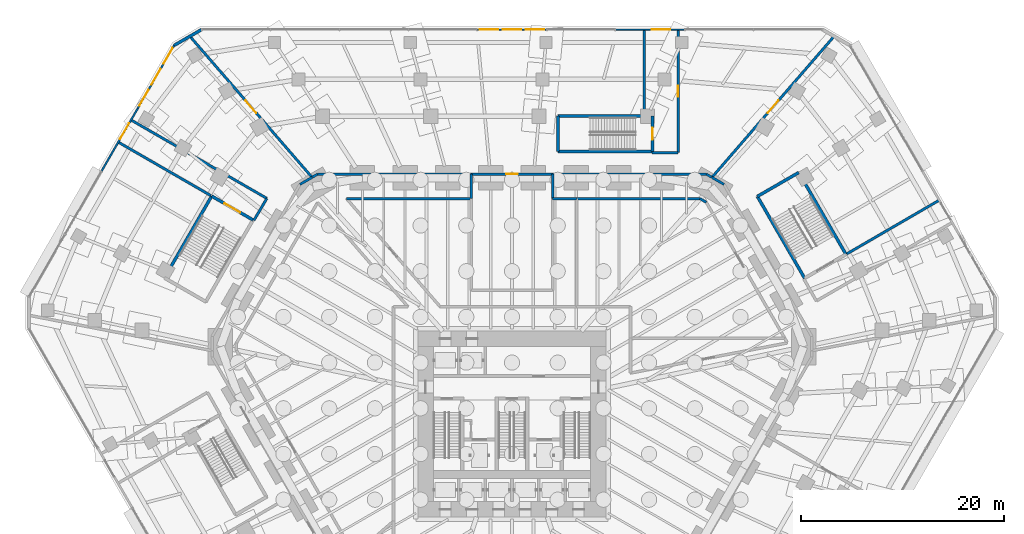
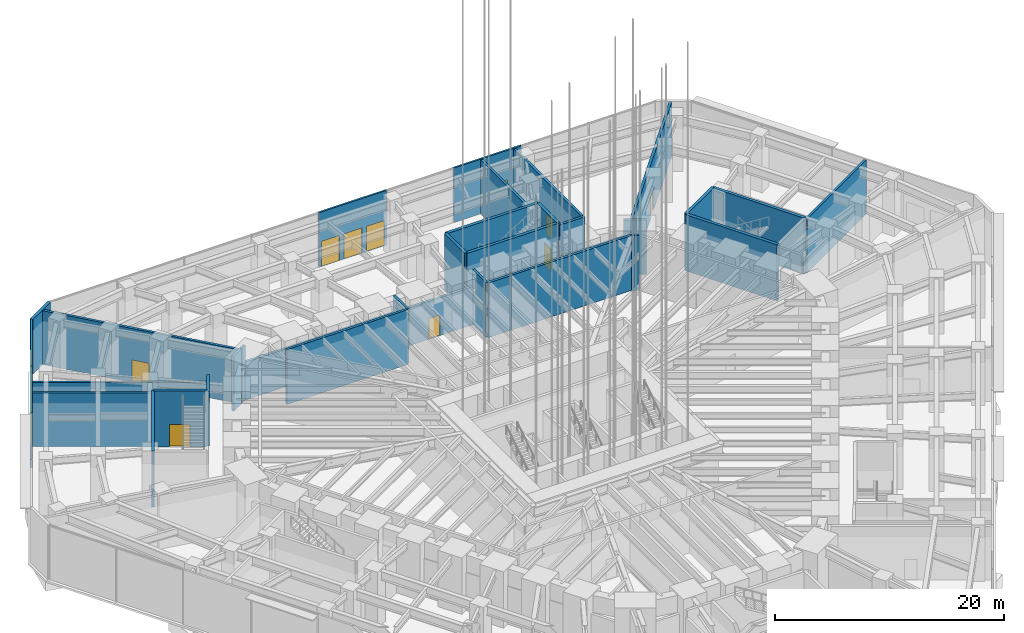
# One storey, part 22 of 34: 36 walls, 14 doors, 14 openings.
"""IFC4 building model written with IfcOpenShell, lengths in metres."""

from ifc_helpers import new_model, si_unit, direction, frame, frame_2d, origin, place, context, subcontext, project, spatial, rectangle, extrude, material, layer, layer_set, type_object, element, fill, save


model = new_model("IFC4")

# Units and contexts
model_context = context("Model", 3, precision=1e-05, world=origin(), true_north=direction((0.0, 1.0)))
body_context = subcontext(model_context, "Body", "Model", "MODEL_VIEW")
ifc_project = project(units=[si_unit("LENGTHUNIT", "METRE"), si_unit("AREAUNIT", "SQUARE_METRE"), si_unit("VOLUMEUNIT", "CUBIC_METRE"), si_unit("PLANEANGLEUNIT", "RADIAN"), si_unit("MASSUNIT", "GRAM", prefix="KILO")], contexts=[model_context])

# Site, building, storey
site_placement = place(None, origin())
site = spatial("IfcSite", under=ifc_project, at=site_placement, CompositionType="ELEMENT")
building_placement = place(site_placement, origin())
building = spatial("IfcBuilding", under=site, at=building_placement, Name="Sandreach Pilgrim Tower", CompositionType="ELEMENT")
storey_placement = place(building_placement, origin())
storey = spatial("IfcBuildingStorey", under=building, at=storey_placement, Name="L00", CompositionType="ELEMENT", Elevation=0.0)

# Wall, openings, doors
ifc_material_1 = material(Name="Glazed aluminium screen", Category="aluminium")
ifc_layer_1 = layer(ifc_material_1, 0.179931640625)
ifc_layer_set_1 = layer_set([ifc_layer_1], Name="Glazed entrance screen wall")
wall_type_1 = type_object("IfcWallType", Name="Glazed entrance screen wall", PredefinedType="SOLIDWALL", material=ifc_layer_set_1)
wall_1_placement = place(storey_placement, frame((-3.3984375, 37.285400390625, 0.0), z_axis=(0.0, 0.0, 1.0), x_axis=(1.0, 0.0, 0.0)))
wall_1 = element("IfcWall", 1, at=wall_1_placement, inside=storey, type_object=wall_type_1, Name="Entrance screen wall L00 N", PredefinedType="SOLIDWALL", context=body_context, shape_type="SweptSolid", body=[
    extrude(rectangle(XDim=6.796875, YDim=0.179931640625, at=frame_2d((3.3984375, 0.0))), origin(), (0.0, 0.0, 1.0), 5.840087890625),
])
opening_1_placement = place(wall_1_placement, frame((0.23291015625, 0.0, 0.0)))
opening_1 = element("IfcOpeningElement", 2, at=opening_1_placement, cuts=wall_1, Name="Opening D18-N1", PredefinedType="OPENING", context=body_context, shape_type="SweptSolid", body=[
    extrude(rectangle(XDim=1.800048828125, YDim=2.699951171875, at=frame_2d((0.89990234375, 1.35009765625))), frame((0.0, 0.08984375, 0.0), z_axis=(0.0, -1.0, 0.0), x_axis=(1.0, 0.0, 0.0)), (0.0, 0.0, 1.0), 0.179931640625),
])
opening_2_placement = place(wall_1_placement, frame((2.49853515625, 0.0, 0.0)))
opening_2 = element("IfcOpeningElement", 3, at=opening_2_placement, cuts=wall_1, Name="Opening D18-N2", PredefinedType="OPENING", context=body_context, shape_type="SweptSolid", body=[
    extrude(rectangle(XDim=1.800048828125, YDim=2.699951171875, at=frame_2d((0.89990234375, 1.35009765625))), frame((0.0, 0.08984375, 0.0), z_axis=(0.0, -1.0, 0.0), x_axis=(1.0, 0.0, 0.0)), (0.0, 0.0, 1.0), 0.179931640625),
])
opening_3_placement = place(wall_1_placement, frame((4.76416015625, 0.0, 0.0)))
opening_3 = element("IfcOpeningElement", 4, at=opening_3_placement, cuts=wall_1, Name="Opening D18-N3", PredefinedType="OPENING", context=body_context, shape_type="SweptSolid", body=[
    extrude(rectangle(XDim=1.800048828125, YDim=2.699951171875, at=frame_2d((0.89990234375, 1.35009765625))), frame((0.0, 0.08984375, 0.0), z_axis=(0.0, -1.0, 0.0), x_axis=(1.0, 0.0, 0.0)), (0.0, 0.0, 1.0), 0.179931640625),
])
ifc_material_2 = material(Name="Aluminium and glass", Category="aluminium")
door_type_1 = type_object("IfcDoorType", Name="Entrance double door", OperationType="DOUBLE_DOOR_SINGLE_SWING", PredefinedType="DOOR", material=ifc_material_2)
door_1_placement = place(opening_1_placement, origin())
door_1 = element("IfcDoor", 5, at=door_1_placement, inside=storey, type_object=door_type_1, Name="Entrance door L00 N1", OperationType="SINGLE_SWING_LEFT", OverallHeight=2.699951171875, OverallWidth=1.800048828125, PredefinedType="DOOR", context=body_context, shape_type="SweptSolid", body=[
    extrude(rectangle(XDim=1.800048828125, YDim=2.699951171875, at=frame_2d((0.89990234375, 1.35009765625))), frame((0.0, 0.02490234375, 0.0), z_axis=(0.0, -1.0, 0.0), x_axis=(1.0, 0.0, 0.0)), (0.0, 0.0, 1.0), 0.050048828125),
])
fill(opening_1, door_1)
door_2_placement = place(opening_2_placement, origin())
door_2 = element("IfcDoor", 6, at=door_2_placement, inside=storey, type_object=door_type_1, Name="Entrance door L00 N2", OperationType="SINGLE_SWING_LEFT", OverallHeight=2.699951171875, OverallWidth=1.800048828125, PredefinedType="DOOR", context=body_context, shape_type="SweptSolid", body=[
    extrude(rectangle(XDim=1.800048828125, YDim=2.699951171875, at=frame_2d((0.89990234375, 1.35009765625))), frame((0.0, 0.02490234375, 0.0), z_axis=(0.0, -1.0, 0.0), x_axis=(1.0, 0.0, 0.0)), (0.0, 0.0, 1.0), 0.050048828125),
])
fill(opening_2, door_2)
door_3_placement = place(opening_3_placement, origin())
door_3 = element("IfcDoor", 7, at=door_3_placement, inside=storey, type_object=door_type_1, Name="Entrance door L00 N3", OperationType="SINGLE_SWING_LEFT", OverallHeight=2.699951171875, OverallWidth=1.800048828125, PredefinedType="DOOR", context=body_context, shape_type="SweptSolid", body=[
    extrude(rectangle(XDim=1.800048828125, YDim=2.699951171875, at=frame_2d((0.89990234375, 1.35009765625))), frame((0.0, 0.02490234375, 0.0), z_axis=(0.0, -1.0, 0.0), x_axis=(1.0, 0.0, 0.0)), (0.0, 0.0, 1.0), 0.050048828125),
])
fill(opening_3, door_3)

# Wall, opening, door
wall_2_placement = place(storey_placement, frame((10.195556640625, 37.285400390625, 0.0), z_axis=(0.0, 0.0, 1.0), x_axis=(1.0, 0.0, 0.0)))
wall_2 = element("IfcWall", 8, at=wall_2_placement, inside=storey, type_object=wall_type_1, Name="Exit screen wall L00 N", PredefinedType="SOLIDWALL", context=body_context, shape_type="SweptSolid", body=[
    extrude(rectangle(XDim=6.797119140625, YDim=0.179931640625, at=frame_2d((3.3984375, 0.0))), origin(), (0.0, 0.0, 1.0), 5.840087890625),
])
opening_4_placement = place(wall_2_placement, frame((3.583984375, 0.0, 0.0)))
opening_4 = element("IfcOpeningElement", 9, at=opening_4_placement, cuts=wall_2, Name="Opening D18-NX", PredefinedType="OPENING", context=body_context, shape_type="SweptSolid", body=[
    extrude(rectangle(XDim=1.800048828125, YDim=2.699951171875, at=frame_2d((0.89990234375, 1.35009765625))), frame((0.0, 0.08984375, 0.0), z_axis=(0.0, -1.0, 0.0), x_axis=(1.0, 0.0, 0.0)), (0.0, 0.0, 1.0), 0.179931640625),
])
door_4_placement = place(opening_4_placement, origin())
door_4 = element("IfcDoor", 10, at=door_4_placement, inside=storey, type_object=door_type_1, Name="Exit door L00 N from stair ST7", OperationType="SINGLE_SWING_LEFT", OverallHeight=2.699951171875, OverallWidth=1.800048828125, PredefinedType="DOOR", context=body_context, shape_type="SweptSolid", body=[
    extrude(rectangle(XDim=1.800048828125, YDim=2.699951171875, at=frame_2d((0.89990234375, 1.35009765625))), frame((0.0, 0.02490234375, 0.0), z_axis=(0.0, -1.0, 0.0), x_axis=(1.0, 0.0, 0.0)), (0.0, 0.0, 1.0), 0.050048828125),
])
fill(opening_4, door_4)

wall_3_placement = place(storey_placement, frame((-40.427734375, 23.3408203125, 0.0), z_axis=(0.0, 0.0, 1.0), x_axis=(0.49999906395, 0.866025944212, 0.0)))
wall_3 = element("IfcWall", 11, at=wall_3_placement, inside=storey, type_object=wall_type_1, Name="Exit screen wall L00 NW", PredefinedType="SOLIDWALL", context=body_context, shape_type="SweptSolid", body=[
    extrude(rectangle(XDim=7.15625, YDim=0.179931640625, at=frame_2d((3.578125, 0.0))), origin(), (0.0, 0.0, 1.0), 5.840087890625),
])
opening_5_placement = place(wall_3_placement, frame((3.6611328125, 0.0, 0.0)))
opening_5 = element("IfcOpeningElement", 12, at=opening_5_placement, cuts=wall_3, Name="Opening D18-NWX", PredefinedType="OPENING", context=body_context, shape_type="SweptSolid", body=[
    extrude(rectangle(XDim=1.800048828125, YDim=2.699951171875, at=frame_2d((0.89990234375, 1.35009765625))), frame((0.0, 0.08984375, 0.0), z_axis=(0.0, -1.0, 0.0), x_axis=(1.0, 0.0, 0.0)), (0.0, 0.0, 1.0), 0.179931640625),
])
door_5_placement = place(opening_5_placement, origin())
door_5 = element("IfcDoor", 13, at=door_5_placement, inside=storey, type_object=door_type_1, Name="Exit door L00 NW from stair ST6", OperationType="SINGLE_SWING_LEFT", OverallHeight=2.699951171875, OverallWidth=1.800048828125, PredefinedType="DOOR", context=body_context, shape_type="SweptSolid", body=[
    extrude(rectangle(XDim=1.800048828125, YDim=2.699951171875, at=frame_2d((0.89990234375, 1.35009765625))), frame((0.0, 0.02490234375, 0.0), z_axis=(0.0, -1.0, 0.0), x_axis=(1.0, 0.0, 0.0)), (0.0, 0.0, 1.0), 0.050048828125),
])
fill(opening_5, door_5)

# Wall, openings, doors
wall_4_placement = place(storey_placement, frame((-36.849609375, 29.538330078125, 0.0), z_axis=(0.0, 0.0, 1.0), x_axis=(0.499988249127, 0.866032188048, 0.0)))
wall_4 = element("IfcWall", 14, at=wall_4_placement, inside=storey, type_object=wall_type_1, Name="Entrance screen wall L00 NW", PredefinedType="SOLIDWALL", context=body_context, shape_type="SweptSolid", body=[
    extrude(rectangle(XDim=7.156005859375, YDim=0.179931640625, at=frame_2d((3.578125, 0.0))), origin(), (0.0, 0.0, 1.0), 5.840087890625),
])
opening_6_placement = place(wall_4_placement, frame((0.292724609375, 0.0, 0.0)))
opening_6 = element("IfcOpeningElement", 15, at=opening_6_placement, cuts=wall_4, Name="Opening D18-NW1", PredefinedType="OPENING", context=body_context, shape_type="SweptSolid", body=[
    extrude(rectangle(XDim=1.800048828125, YDim=2.699951171875, at=frame_2d((0.89990234375, 1.35009765625))), frame((0.0, 0.08984375, 0.0), z_axis=(0.0, -1.0, 0.0), x_axis=(1.0, 0.0, 0.0)), (0.0, 0.0, 1.0), 0.179931640625),
])
opening_7_placement = place(wall_4_placement, frame((2.677978515625, 0.0, 0.0)))
opening_7 = element("IfcOpeningElement", 16, at=opening_7_placement, cuts=wall_4, Name="Opening D18-NW2", PredefinedType="OPENING", context=body_context, shape_type="SweptSolid", body=[
    extrude(rectangle(XDim=1.800048828125, YDim=2.699951171875, at=frame_2d((0.89990234375, 1.35009765625))), frame((0.0, 0.08984375, 0.0), z_axis=(0.0, -1.0, 0.0), x_axis=(1.0, 0.0, 0.0)), (0.0, 0.0, 1.0), 0.179931640625),
])
opening_8_placement = place(wall_4_placement, frame((5.063232421875, 0.0, 0.0)))
opening_8 = element("IfcOpeningElement", 17, at=opening_8_placement, cuts=wall_4, Name="Opening D18-NW3", PredefinedType="OPENING", context=body_context, shape_type="SweptSolid", body=[
    extrude(rectangle(XDim=1.800048828125, YDim=2.699951171875, at=frame_2d((0.89990234375, 1.35009765625))), frame((0.0, 0.08984375, 0.0), z_axis=(0.0, -1.0, 0.0), x_axis=(1.0, 0.0, 0.0)), (0.0, 0.0, 1.0), 0.179931640625),
])
door_6_placement = place(opening_6_placement, origin())
door_6 = element("IfcDoor", 18, at=door_6_placement, inside=storey, type_object=door_type_1, Name="Entrance door L00 NW1", OperationType="SINGLE_SWING_LEFT", OverallHeight=2.699951171875, OverallWidth=1.800048828125, PredefinedType="DOOR", context=body_context, shape_type="SweptSolid", body=[
    extrude(rectangle(XDim=1.800048828125, YDim=2.699951171875, at=frame_2d((0.89990234375, 1.35009765625))), frame((0.0, 0.02490234375, 0.0), z_axis=(0.0, -1.0, 0.0), x_axis=(1.0, 0.0, 0.0)), (0.0, 0.0, 1.0), 0.050048828125),
])
fill(opening_6, door_6)
door_7_placement = place(opening_7_placement, origin())
door_7 = element("IfcDoor", 19, at=door_7_placement, inside=storey, type_object=door_type_1, Name="Entrance door L00 NW2", OperationType="SINGLE_SWING_LEFT", OverallHeight=2.699951171875, OverallWidth=1.800048828125, PredefinedType="DOOR", context=body_context, shape_type="SweptSolid", body=[
    extrude(rectangle(XDim=1.800048828125, YDim=2.699951171875, at=frame_2d((0.89990234375, 1.35009765625))), frame((0.0, 0.02490234375, 0.0), z_axis=(0.0, -1.0, 0.0), x_axis=(1.0, 0.0, 0.0)), (0.0, 0.0, 1.0), 0.050048828125),
])
fill(opening_7, door_7)
door_8_placement = place(opening_8_placement, origin())
door_8 = element("IfcDoor", 20, at=door_8_placement, inside=storey, type_object=door_type_1, Name="Entrance door L00 NW3", OperationType="SINGLE_SWING_LEFT", OverallHeight=2.699951171875, OverallWidth=1.800048828125, PredefinedType="DOOR", context=body_context, shape_type="SweptSolid", body=[
    extrude(rectangle(XDim=1.800048828125, YDim=2.699951171875, at=frame_2d((0.89990234375, 1.35009765625))), frame((0.0, 0.02490234375, 0.0), z_axis=(0.0, -1.0, 0.0), x_axis=(1.0, 0.0, 0.0)), (0.0, 0.0, 1.0), 0.050048828125),
])
fill(opening_8, door_8)

# Walls
ifc_material_3 = material(Name="Acoustic gypsum board wall, double frame", Category="gypsum")
ifc_layer_2 = layer(ifc_material_3, 0.25)
ifc_layer_set_2 = layer_set([ifc_layer_2], Name="Hall partition 250")
wall_type_2 = type_object("IfcWallType", Name="Hall partition 250", PredefinedType="PARTITIONING", material=ifc_layer_set_2)
wall_5_placement = place(storey_placement, frame((-29.659423828125, 20.948486328125, 0.0), z_axis=(0.0, 0.0, 1.0), x_axis=(-0.865956906552, 0.500118621924, 0.0)))
element("IfcWall", 21, at=wall_5_placement, inside=storey, type_object=wall_type_2, Name="Hall partition L00-004", PredefinedType="PARTITIONING", context=body_context, shape_type="SweptSolid", body=[
    extrude(rectangle(XDim=10.49072265625, YDim=0.25, at=frame_2d((5.245361328125, 0.0))), origin(), (0.0, 0.0, 1.0), 5.75),
])
wall_6_placement = place(storey_placement, frame((-25.419921875, 18.5, 0.0), z_axis=(0.0, 0.0, 1.0), x_axis=(0.508082727165, 0.861308273707, 0.0)))
element("IfcWall", 22, at=wall_6_placement, inside=storey, type_object=wall_type_2, Name="Hall partition L00-013", PredefinedType="PARTITIONING", context=body_context, shape_type="SweptSolid", body=[
    extrude(rectangle(XDim=2.519287109375, YDim=0.25, at=frame_2d((1.259765625, 0.0))), origin(), (0.0, 0.0, 1.0), 5.840087890625),
])
wall_7_placement = place(storey_placement, frame((-24.139892578125, 20.669921875, 0.0), z_axis=(0.0, 0.0, 1.0), x_axis=(-0.866003524369, 0.500037894345, 0.0)))
element("IfcWall", 23, at=wall_7_placement, inside=storey, type_object=wall_type_2, Name="Hall partition L00-014", PredefinedType="PARTITIONING", context=body_context, shape_type="SweptSolid", body=[
    extrude(rectangle(XDim=15.408935546875, YDim=0.25, at=frame_2d((7.70458984375, 0.0))), origin(), (0.0, 0.0, 1.0), 5.0830078125),
])
wall_8_placement = place(storey_placement, frame((-20.880126953125, 22.050048828125, 0.0), z_axis=(0.0, 0.0, 1.0), x_axis=(0.865786487168, 0.500413587582, 0.0)))
element("IfcWall", 24, at=wall_8_placement, inside=storey, type_object=wall_type_2, Name="Hall partition L00-017", PredefinedType="PARTITIONING", context=body_context, shape_type="SweptSolid", body=[
    extrude(rectangle(XDim=1.375732421875, YDim=0.25, at=frame_2d((0.68798828125, 0.0))), origin(), (0.0, 0.0, 1.0), 5.840087890625),
])

# Wall, opening, door
wall_9_placement = place(storey_placement, frame((-19.68994140625, 22.739990234375, 0.0), z_axis=(0.0, 0.0, 1.0), x_axis=(-0.654545432473, 0.75602266952, 0.0)))
wall_9 = element("IfcWall", 25, at=wall_9_placement, inside=storey, type_object=wall_type_2, Name="Hall partition L00-018", PredefinedType="PARTITIONING", context=body_context, shape_type="SweptSolid", body=[
    extrude(rectangle(XDim=18.395263671875, YDim=0.25, at=frame_2d((9.19775390625, 0.0))), origin(), (0.0, 0.0, 1.0), 5.75),
])
opening_9_placement = place(wall_9_placement, frame((8.397705078125, 0.0, 0.0)))
opening_9 = element("IfcOpeningElement", 26, at=opening_9_placement, cuts=wall_9, Name="Opening D16-06", PredefinedType="OPENING", context=body_context, shape_type="SweptSolid", body=[
    extrude(rectangle(XDim=1.60009765625, YDim=2.39990234375, at=frame_2d((0.800048828125, 1.199951171875))), frame((0.0, 0.125, 0.0), z_axis=(0.0, -1.0, 0.0), x_axis=(1.0, 0.0, 0.0)), (0.0, 0.0, 1.0), 0.25),
])
ifc_material_4 = material(Name="Steel door and frame", Category="steel")
door_type_2 = type_object("IfcDoorType", Name="Hall double door", OperationType="DOUBLE_DOOR_SINGLE_SWING", PredefinedType="DOOR", material=ifc_material_4)
door_9_placement = place(opening_9_placement, origin())
door_9 = element("IfcDoor", 27, at=door_9_placement, inside=storey, type_object=door_type_2, Name="Door 0006", OperationType="DOUBLE_DOOR_SINGLE_SWING", OverallHeight=2.39990234375, OverallWidth=1.60009765625, PredefinedType="DOOR", context=body_context, shape_type="SweptSolid", body=[
    extrude(rectangle(XDim=1.60009765625, YDim=2.39990234375, at=frame_2d((0.800048828125, 1.199951171875))), frame((0.0, 0.02490234375, 0.0), z_axis=(0.0, -1.0, 0.0), x_axis=(1.0, 0.0, 0.0)), (0.0, 0.0, 1.0), 0.050048828125),
])
fill(opening_9, door_9)

# Walls
wall_10_placement = place(storey_placement, frame((-19.65966796875, 22.75732421875, 0.0), z_axis=(0.0, 0.0, 1.0), x_axis=(0.867193315, 0.497971640175, 0.0)))
element("IfcWall", 28, at=wall_10_placement, inside=storey, type_object=wall_type_2, Name="Hall partition L00-019", PredefinedType="PARTITIONING", context=body_context, shape_type="SweptSolid", body=[
    extrude(rectangle(XDim=0.587890625, YDim=0.25, at=frame_2d((0.2939453125, 0.0))), origin(), (0.0, 0.0, 1.0), 5.840087890625),
])
wall_11_placement = place(storey_placement, frame((-16.2900390625, 20.64990234375, 0.0), z_axis=(0.0, 0.0, 1.0), x_axis=(1.0, 0.0, 0.0)))
element("IfcWall", 29, at=wall_11_placement, inside=storey, type_object=wall_type_2, Name="Hall partition L00-022", PredefinedType="PARTITIONING", context=body_context, shape_type="SweptSolid", body=[
    extrude(rectangle(XDim=12.2900390625, YDim=0.25, at=frame_2d((6.14501953125, 0.0))), origin(), (0.0, 0.0, 1.0), 5.840087890625),
])
wall_12_placement = place(storey_placement, frame((-4.0, 20.64990234375, 0.0), z_axis=(0.0, 0.0, 1.0), x_axis=(0.0, 1.0, 0.0)))
element("IfcWall", 30, at=wall_12_placement, inside=storey, type_object=wall_type_2, Name="Hall partition L00-039", PredefinedType="PARTITIONING", context=body_context, shape_type="SweptSolid", body=[
    extrude(rectangle(XDim=2.400146484375, YDim=0.25, at=frame_2d((1.2001953125, 0.0))), origin(), (0.0, 0.0, 1.0), 5.840087890625),
])
wall_13_placement = place(storey_placement, frame((-4.0, 23.050048828125, 0.0), z_axis=(0.0, 0.0, 1.0), x_axis=(-1.0, 0.0, 0.0)))
element("IfcWall", 31, at=wall_13_placement, inside=storey, type_object=wall_type_2, Name="Hall partition L00-040", PredefinedType="PARTITIONING", context=body_context, shape_type="SweptSolid", body=[
    extrude(rectangle(XDim=15.14990234375, YDim=0.25, at=frame_2d((7.574951171875, 0.0))), origin(), (0.0, 0.0, 1.0), 4.0400390625),
])
wall_14_placement = place(storey_placement, frame((4.0, 20.64990234375, 0.0), z_axis=(0.0, 0.0, 1.0), x_axis=(1.0, 0.0, 0.0)))
element("IfcWall", 32, at=wall_14_placement, inside=storey, type_object=wall_type_2, Name="Hall partition L00-051", PredefinedType="PARTITIONING", context=body_context, shape_type="SweptSolid", body=[
    extrude(rectangle(XDim=2.360107421875, YDim=0.25, at=frame_2d((1.18017578125, 0.0))), origin(), (0.0, 0.0, 1.0), 5.840087890625),
])

# Wall, opening, door
wall_15_placement = place(storey_placement, frame((4.0, 23.050048828125, 0.0), z_axis=(0.0, 0.0, 1.0), x_axis=(-1.0, 0.0, 0.0)))
wall_15 = element("IfcWall", 33, at=wall_15_placement, inside=storey, type_object=wall_type_2, Name="Hall partition L00-052", PredefinedType="PARTITIONING", context=body_context, shape_type="SweptSolid", body=[
    extrude(rectangle(XDim=8.0, YDim=0.25, at=frame_2d((4.0, 0.0))), origin(), (0.0, 0.0, 1.0), 4.0400390625),
])
opening_10_placement = place(wall_15_placement, frame((3.449951171875, 0.0, 0.0)))
opening_10 = element("IfcOpeningElement", 34, at=opening_10_placement, cuts=wall_15, Name="Opening D11H-R1", PredefinedType="OPENING", context=body_context, shape_type="SweptSolid", body=[
    extrude(rectangle(XDim=1.10009765625, YDim=2.199951171875, at=frame_2d((0.550048828125, 1.10009765625))), frame((0.0, 0.125, 0.0), z_axis=(0.0, -1.0, 0.0), x_axis=(1.0, 0.0, 0.0)), (0.0, 0.0, 1.0), 0.25),
])
ifc_material_5 = material(Name="Steel door and frame", Category="steel")
door_type_3 = type_object("IfcDoorType", Name="Back of house door", OperationType="SINGLE_SWING_LEFT", PredefinedType="DOOR", material=ifc_material_5)
door_10_placement = place(opening_10_placement, origin())
door_10 = element("IfcDoor", 35, at=door_10_placement, inside=storey, type_object=door_type_3, Name="Door 00R1", OperationType="SINGLE_SWING_LEFT", OverallHeight=2.199951171875, OverallWidth=1.10009765625, PredefinedType="DOOR", context=body_context, shape_type="SweptSolid", body=[
    extrude(rectangle(XDim=1.10009765625, YDim=2.199951171875, at=frame_2d((0.550048828125, 1.10009765625))), frame((0.0, 0.02490234375, 0.0), z_axis=(0.0, -1.0, 0.0), x_axis=(1.0, 0.0, 0.0)), (0.0, 0.0, 1.0), 0.050048828125),
])
fill(opening_10, door_10)

# Walls
wall_16_placement = place(storey_placement, frame((4.0, 23.050048828125, 0.0), z_axis=(0.0, 0.0, 1.0), x_axis=(0.0, -1.0, 0.0)))
element("IfcWall", 36, at=wall_16_placement, inside=storey, type_object=wall_type_2, Name="Hall partition L00-053", PredefinedType="PARTITIONING", context=body_context, shape_type="SweptSolid", body=[
    extrude(rectangle(XDim=2.400146484375, YDim=0.25, at=frame_2d((1.2001953125, 0.0))), origin(), (0.0, 0.0, 1.0), 5.840087890625),
])
wall_17_placement = place(storey_placement, frame((6.360107421875, 20.64990234375, 0.0), z_axis=(0.0, 0.0, 1.0), x_axis=(1.0, 0.0, 0.0)))
element("IfcWall", 37, at=wall_17_placement, inside=storey, type_object=wall_type_2, Name="Hall partition L00-056", PredefinedType="PARTITIONING", context=body_context, shape_type="SweptSolid", body=[
    extrude(rectangle(XDim=12.14990234375, YDim=0.25, at=frame_2d((6.074951171875, 0.0))), origin(), (0.0, 0.0, 1.0), 5.840087890625),
])
wall_18_placement = place(storey_placement, frame((13.010009765625, 37.260009765625, 0.0), z_axis=(0.0, 0.0, 1.0), x_axis=(0.0, -1.0, 0.0)))
element("IfcWall", 38, at=wall_18_placement, inside=storey, type_object=wall_type_2, Name="Hall partition L00-065", PredefinedType="PARTITIONING", context=body_context, shape_type="SweptSolid", body=[
    extrude(rectangle(XDim=8.360107421875, YDim=0.25, at=frame_2d((4.18017578125, 0.0))), origin(), (0.0, 0.0, 1.0), 5.75),
])
wall_19_placement = place(storey_placement, frame((13.81005859375, 25.179931640625, 0.0), z_axis=(0.0, 0.0, 1.0), x_axis=(1.0, 0.0, 0.0)))
element("IfcWall", 39, at=wall_19_placement, inside=storey, type_object=wall_type_2, Name="Hall partition L00-067", PredefinedType="PARTITIONING", context=body_context, shape_type="SweptSolid", body=[
    extrude(rectangle(XDim=2.5400390625, YDim=0.25, at=frame_2d((1.27001953125, 0.0))), origin(), (0.0, 0.0, 1.0), 5.840087890625),
])

# Wall, opening, door
wall_20_placement = place(storey_placement, frame((16.35009765625, 25.179931640625, 0.0), z_axis=(0.0, 0.0, 1.0), x_axis=(0.0, 1.0, 0.0)))
wall_20 = element("IfcWall", 40, at=wall_20_placement, inside=storey, type_object=wall_type_2, Name="Hall partition L00-069", PredefinedType="PARTITIONING", context=body_context, shape_type="SweptSolid", body=[
    extrude(rectangle(XDim=12.080078125, YDim=0.25, at=frame_2d((6.0400390625, 0.0))), origin(), (0.0, 0.0, 1.0), 5.75),
])
opening_11_placement = place(wall_20_placement, frame((5.489990234375, 0.0, 0.0)))
opening_11 = element("IfcOpeningElement", 41, at=opening_11_placement, cuts=wall_20, Name="Opening D11H-E7", PredefinedType="OPENING", context=body_context, shape_type="SweptSolid", body=[
    extrude(rectangle(XDim=1.10009765625, YDim=2.199951171875, at=frame_2d((0.550048828125, 1.10009765625))), frame((0.0, 0.125, 0.0), z_axis=(0.0, -1.0, 0.0), x_axis=(1.0, 0.0, 0.0)), (0.0, 0.0, 1.0), 0.25),
])
door_11_placement = place(opening_11_placement, origin())
door_11 = element("IfcDoor", 42, at=door_11_placement, inside=storey, type_object=door_type_3, Name="Door 00E7", OperationType="SINGLE_SWING_LEFT", OverallHeight=2.199951171875, OverallWidth=1.10009765625, PredefinedType="DOOR", context=body_context, shape_type="SweptSolid", body=[
    extrude(rectangle(XDim=1.10009765625, YDim=2.199951171875, at=frame_2d((0.550048828125, 1.10009765625))), frame((0.0, 0.02490234375, 0.0), z_axis=(0.0, -1.0, 0.0), x_axis=(1.0, 0.0, 0.0)), (0.0, 0.0, 1.0), 0.050048828125),
])
fill(opening_11, door_11)

# Walls
wall_21_placement = place(storey_placement, frame((18.510009765625, 20.64990234375, 0.0), z_axis=(0.0, 0.0, 1.0), x_axis=(0.864827114446, -0.502069778138, 0.0)))
element("IfcWall", 43, at=wall_21_placement, inside=storey, type_object=wall_type_2, Name="Hall partition L00-072", PredefinedType="PARTITIONING", context=body_context, shape_type="SweptSolid", body=[
    extrude(rectangle(XDim=0.716796875, YDim=0.25, at=frame_2d((0.3583984375, 0.0))), origin(), (0.0, 0.0, 1.0), 5.840087890625),
])
wall_22_placement = place(storey_placement, frame((19.14990234375, 23.050048828125, 0.0), z_axis=(0.0, 0.0, 1.0), x_axis=(-1.0, 0.0, 0.0)))
element("IfcWall", 44, at=wall_22_placement, inside=storey, type_object=wall_type_2, Name="Hall partition L00-074", PredefinedType="PARTITIONING", context=body_context, shape_type="SweptSolid", body=[
    extrude(rectangle(XDim=15.14990234375, YDim=0.25, at=frame_2d((7.574951171875, 0.0))), origin(), (0.0, 0.0, 1.0), 4.0400390625),
])
wall_23_placement = place(storey_placement, frame((19.14990234375, 23.050048828125, 0.0), z_axis=(0.0, 0.0, 1.0), x_axis=(0.86570107998, -0.500561325036, 0.0)))
element("IfcWall", 45, at=wall_23_placement, inside=storey, type_object=wall_type_2, Name="Hall partition L00-075", PredefinedType="PARTITIONING", context=body_context, shape_type="SweptSolid", body=[
    extrude(rectangle(XDim=0.587646484375, YDim=0.25, at=frame_2d((0.2939453125, 0.0))), origin(), (0.0, 0.0, 1.0), 5.840087890625),
])
wall_24_placement = place(storey_placement, frame((19.68994140625, 22.739990234375, 0.0), z_axis=(0.0, 0.0, 1.0), x_axis=(0.865102050426, -0.501595895466, 0.0)))
element("IfcWall", 46, at=wall_24_placement, inside=storey, type_object=wall_type_2, Name="Hall partition L00-076", PredefinedType="PARTITIONING", context=body_context, shape_type="SweptSolid", body=[
    extrude(rectangle(XDim=1.37548828125, YDim=0.25, at=frame_2d((0.687744140625, 0.0))), origin(), (0.0, 0.0, 1.0), 5.840087890625),
])

# Wall, opening, door
wall_25_placement = place(storey_placement, frame((31.73046875, 36.647216796875, 0.0), z_axis=(0.0, 0.0, 1.0), x_axis=(-0.654545432473, -0.75602266952, 0.0)))
wall_25 = element("IfcWall", 47, at=wall_25_placement, inside=storey, type_object=wall_type_2, Name="Hall partition L00-089", PredefinedType="PARTITIONING", context=body_context, shape_type="SweptSolid", body=[
    extrude(rectangle(XDim=18.395263671875, YDim=0.25, at=frame_2d((9.19775390625, 0.0))), origin(), (0.0, 0.0, 1.0), 5.75),
])
opening_12_placement = place(wall_25_placement, frame((8.397705078125, 0.0, 0.0)))
opening_12 = element("IfcOpeningElement", 48, at=opening_12_placement, cuts=wall_25, Name="Opening D16-02", PredefinedType="OPENING", context=body_context, shape_type="SweptSolid", body=[
    extrude(rectangle(XDim=1.60009765625, YDim=2.39990234375, at=frame_2d((0.800048828125, 1.199951171875))), frame((0.0, 0.125, 0.0), z_axis=(0.0, -1.0, 0.0), x_axis=(1.0, 0.0, 0.0)), (0.0, 0.0, 1.0), 0.25),
])
door_12_placement = place(opening_12_placement, origin())
door_12 = element("IfcDoor", 49, at=door_12_placement, inside=storey, type_object=door_type_2, Name="Door 0002", OperationType="DOUBLE_DOOR_SINGLE_SWING", OverallHeight=2.39990234375, OverallWidth=1.60009765625, PredefinedType="DOOR", context=body_context, shape_type="SweptSolid", body=[
    extrude(rectangle(XDim=1.60009765625, YDim=2.39990234375, at=frame_2d((0.800048828125, 1.199951171875))), frame((0.0, 0.02490234375, 0.0), z_axis=(0.0, -1.0, 0.0), x_axis=(1.0, 0.0, 0.0)), (0.0, 0.0, 1.0), 0.050048828125),
])
fill(opening_12, door_12)

# Walls
wall_26_placement = place(storey_placement, frame((42.0439453125, 20.47509765625, 0.0), z_axis=(0.0, 0.0, 1.0), x_axis=(-0.864887716018, -0.501965375978, 0.0)))
element("IfcWall", 50, at=wall_26_placement, inside=storey, type_object=wall_type_2, Name="Hall partition L00-090", PredefinedType="PARTITIONING", context=body_context, shape_type="SweptSolid", body=[
    extrude(rectangle(XDim=10.489501953125, YDim=0.25, at=frame_2d((5.24462890625, 0.0))), origin(), (0.0, 0.0, 1.0), 5.75),
])
ifc_material_6 = material(Name="Concrete 8000 psi", Category="concrete")
ifc_layer_3 = layer(ifc_material_6, 0.300048828125)
ifc_layer_set_3 = layer_set([ifc_layer_3], Name="Podium stair enclosure 300")
wall_type_3 = type_object("IfcWallType", Name="Podium stair enclosure 300", PredefinedType="SHEAR", material=ifc_layer_set_3)
wall_27_placement = place(storey_placement, frame((28.81494140625, 12.81298828125, 0.0), z_axis=(0.0, 0.0, 1.0), x_axis=(-0.500015592816, 0.866016401081, 0.0)))
element("IfcWall", 51, at=wall_27_placement, inside=storey, type_object=wall_type_3, Name="Stair ST4 enclosure L00 1", PredefinedType="SHEAR", context=body_context, shape_type="SweptSolid", body=[
    extrude(rectangle(XDim=9.300048828125, YDim=0.300048828125, at=frame_2d((4.64990234375, 0.0))), origin(), (0.0, 0.0, 1.0), 6.0),
])
wall_28_placement = place(storey_placement, frame((24.164794921875, 20.866943359375, 0.0), z_axis=(0.0, 0.0, 1.0), x_axis=(0.866016039709, 0.500016218704, 0.0)))
element("IfcWall", 52, at=wall_28_placement, inside=storey, type_object=wall_type_3, Name="Stair ST4 enclosure L00 2", PredefinedType="SHEAR", context=body_context, shape_type="SweptSolid", body=[
    extrude(rectangle(XDim=4.699951171875, YDim=0.300048828125, at=frame_2d((2.35009765625, 0.0))), origin(), (0.0, 0.0, 1.0), 6.0),
])
wall_29_placement = place(storey_placement, frame((28.235107421875, 23.217041015625, 0.0), z_axis=(0.0, 0.0, 1.0), x_axis=(0.500004225487, -0.866022964185, 0.0)))
element("IfcWall", 53, at=wall_29_placement, inside=storey, type_object=wall_type_3, Name="Stair ST4 enclosure L00 3", PredefinedType="SHEAR", context=body_context, shape_type="SweptSolid", body=[
    extrude(rectangle(XDim=9.30029296875, YDim=0.300048828125, at=frame_2d((4.650146484375, 0.0))), origin(), (0.0, 0.0, 1.0), 6.0),
])
wall_30_placement = place(storey_placement, frame((-34.22412109375, 12.843994140625, 0.0), z_axis=(0.0, 0.0, 1.0), x_axis=(0.500015592816, 0.866016401081, 0.0)))
element("IfcWall", 54, at=wall_30_placement, inside=storey, type_object=wall_type_3, Name="Stair ST6 enclosure L00 3", PredefinedType="SHEAR", context=body_context, shape_type="SweptSolid", body=[
    extrude(rectangle(XDim=9.300048828125, YDim=0.300048828125, at=frame_2d((4.64990234375, 0.0))), origin(), (0.0, 0.0, 1.0), 6.0),
])

# Wall, opening, door
wall_31_placement = place(storey_placement, frame((-29.573974609375, 20.89794921875, 0.0), z_axis=(0.0, 0.0, 1.0), x_axis=(0.866038532462, -0.499977259774, 0.0)))
wall_31 = element("IfcWall", 55, at=wall_31_placement, inside=storey, type_object=wall_type_3, Name="Stair ST6 enclosure L00 4", PredefinedType="SHEAR", context=body_context, shape_type="SweptSolid", body=[
    extrude(rectangle(XDim=4.699951171875, YDim=0.300048828125, at=frame_2d((2.35009765625, 0.0))), origin(), (0.0, 0.0, 1.0), 6.0),
])
opening_13_placement = place(wall_31_placement, frame((1.449951171875, 0.0, 0.0)))
opening_13 = element("IfcOpeningElement", 56, at=opening_13_placement, cuts=wall_31, Name="Opening D18S-ST6", PredefinedType="OPENING", context=body_context, shape_type="SweptSolid", body=[
    extrude(rectangle(XDim=1.800048828125, YDim=2.39990234375, at=frame_2d((0.89990234375, 1.199951171875))), frame((0.0, 0.14990234375, 0.0), z_axis=(0.0, -1.0, 0.0), x_axis=(1.0, 0.0, 0.0)), (0.0, 0.0, 1.0), 0.300048828125),
])
ifc_material_7 = material(Name="Steel door and frame", Category="steel")
door_type_4 = type_object("IfcDoorType", Name="Podium stair door", OperationType="DOUBLE_DOOR_SINGLE_SWING", PredefinedType="DOOR", material=ifc_material_7)
door_13_placement = place(opening_13_placement, origin())
door_13 = element("IfcDoor", 57, at=door_13_placement, inside=storey, type_object=door_type_4, Name="Stair door ST6 L00", OperationType="DOUBLE_DOOR_SINGLE_SWING", OverallHeight=2.39990234375, OverallWidth=1.800048828125, PredefinedType="DOOR", context=body_context, shape_type="SweptSolid", body=[
    extrude(rectangle(XDim=1.800048828125, YDim=2.39990234375, at=frame_2d((0.89990234375, 1.199951171875))), frame((0.0, 0.02490234375, 0.0), z_axis=(0.0, -1.0, 0.0), x_axis=(1.0, 0.0, 0.0)), (0.0, 0.0, 1.0), 0.050048828125),
])
fill(opening_13, door_13)

# Walls
wall_32_placement = place(storey_placement, frame((13.829833984375, 25.298828125, 0.0), z_axis=(0.0, 0.0, 1.0), x_axis=(-1.0, 0.0, 0.0)))
element("IfcWall", 58, at=wall_32_placement, inside=storey, type_object=wall_type_3, Name="Stair ST7 enclosure L00 1", PredefinedType="SHEAR", context=body_context, shape_type="SweptSolid", body=[
    extrude(rectangle(XDim=9.300048828125, YDim=0.300048828125, at=frame_2d((4.64990234375, 0.0))), origin(), (0.0, 0.0, 1.0), 6.0),
])
wall_33_placement = place(storey_placement, frame((4.52978515625, 25.298828125, 0.0), z_axis=(0.0, 0.0, 1.0), x_axis=(0.0, 1.0, 0.0)))
element("IfcWall", 59, at=wall_33_placement, inside=storey, type_object=wall_type_3, Name="Stair ST7 enclosure L00 2", PredefinedType="SHEAR", context=body_context, shape_type="SweptSolid", body=[
    extrude(rectangle(XDim=3.5, YDim=0.300048828125, at=frame_2d((1.75, 0.0))), origin(), (0.0, 0.0, 1.0), 6.0),
])
wall_34_placement = place(storey_placement, frame((4.52978515625, 28.798828125, 0.0), z_axis=(0.0, 0.0, 1.0), x_axis=(1.0, 0.0, 0.0)))
element("IfcWall", 60, at=wall_34_placement, inside=storey, type_object=wall_type_3, Name="Stair ST7 enclosure L00 3", PredefinedType="SHEAR", context=body_context, shape_type="SweptSolid", body=[
    extrude(rectangle(XDim=9.300048828125, YDim=0.300048828125, at=frame_2d((4.64990234375, 0.0))), origin(), (0.0, 0.0, 1.0), 6.0),
])

# Wall, opening, door
wall_35_placement = place(storey_placement, frame((13.829833984375, 28.798828125, 0.0), z_axis=(0.0, 0.0, 1.0), x_axis=(0.0, -1.0, 0.0)))
wall_35 = element("IfcWall", 61, at=wall_35_placement, inside=storey, type_object=wall_type_3, Name="Stair ST7 enclosure L00 4", PredefinedType="SHEAR", context=body_context, shape_type="SweptSolid", body=[
    extrude(rectangle(XDim=3.5, YDim=0.300048828125, at=frame_2d((1.75, 0.0))), origin(), (0.0, 0.0, 1.0), 6.0),
])
opening_14_placement = place(wall_35_placement, frame((1.14990234375, 0.0, 0.0)))
opening_14 = element("IfcOpeningElement", 62, at=opening_14_placement, cuts=wall_35, Name="Opening D12S-ST7", PredefinedType="OPENING", context=body_context, shape_type="SweptSolid", body=[
    extrude(rectangle(XDim=1.199951171875, YDim=2.39990234375, at=frame_2d((0.60009765625, 1.199951171875))), frame((0.0, 0.14990234375, 0.0), z_axis=(0.0, -1.0, 0.0), x_axis=(1.0, 0.0, 0.0)), (0.0, 0.0, 1.0), 0.300048828125),
])
ifc_material_8 = material(Name="Steel door and frame", Category="steel")
door_type_5 = type_object("IfcDoorType", Name="Narrow podium stair door", OperationType="SINGLE_SWING_LEFT", PredefinedType="DOOR", material=ifc_material_8)
door_14_placement = place(opening_14_placement, origin())
door_14 = element("IfcDoor", 63, at=door_14_placement, inside=storey, type_object=door_type_5, Name="Stair door ST7 L00", OperationType="SINGLE_SWING_LEFT", OverallHeight=2.39990234375, OverallWidth=1.199951171875, PredefinedType="DOOR", context=body_context, shape_type="SweptSolid", body=[
    extrude(rectangle(XDim=1.199951171875, YDim=2.39990234375, at=frame_2d((0.60009765625, 1.199951171875))), frame((0.0, 0.02490234375, 0.0), z_axis=(0.0, -1.0, 0.0), x_axis=(1.0, 0.0, 0.0)), (0.0, 0.0, 1.0), 0.050048828125),
])
fill(opening_14, door_14)

# Wall
ifc_material_9 = material(Name="Terracotta rainscreen on concrete", Category="masonry")
ifc_layer_4 = layer(ifc_material_9, 0.300048828125)
ifc_layer_set_4 = layer_set([ifc_layer_4], Name="Terracotta chamfer pier")
wall_type_4 = type_object("IfcWallType", Name="Terracotta chamfer pier", PredefinedType="SOLIDWALL", material=ifc_layer_set_4)
wall_36_placement = place(storey_placement, frame((-33.271728515625, 35.735595703125, 0.0), z_axis=(0.0, 0.0, 1.0), x_axis=(0.866063626216, 0.499933790963, 0.0)))
element("IfcWall", 64, at=wall_36_placement, inside=storey, type_object=wall_type_4, Name="Chamfer pier L00 NW", PredefinedType="SOLIDWALL", context=body_context, shape_type="SweptSolid", body=[
    extrude(rectangle(XDim=3.10009765625, YDim=0.300048828125, at=frame_2d((1.550048828125, 0.0))), origin(), (0.0, 0.0, 1.0), 5.840087890625),
])

save(model, "model.ifc")
